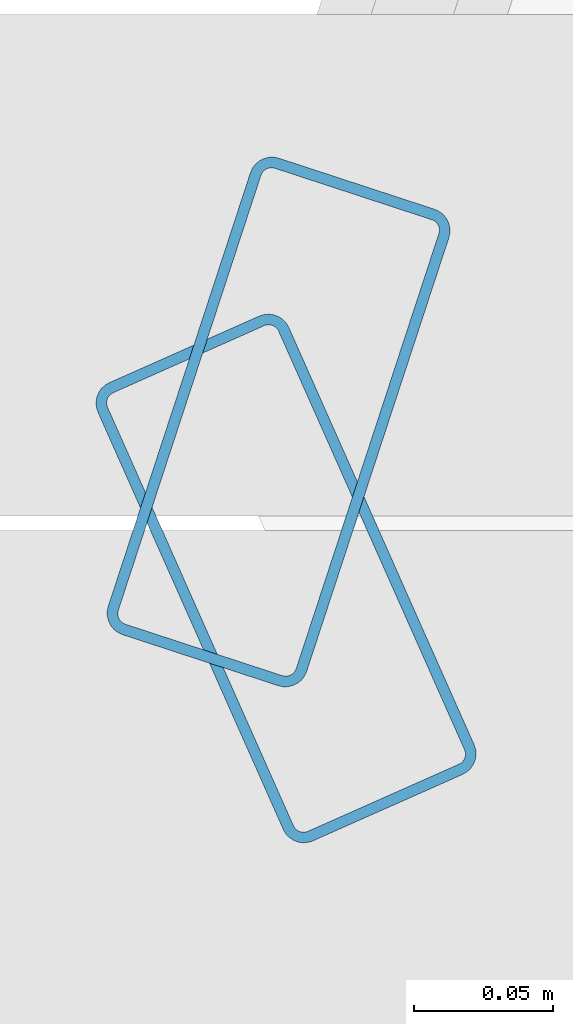
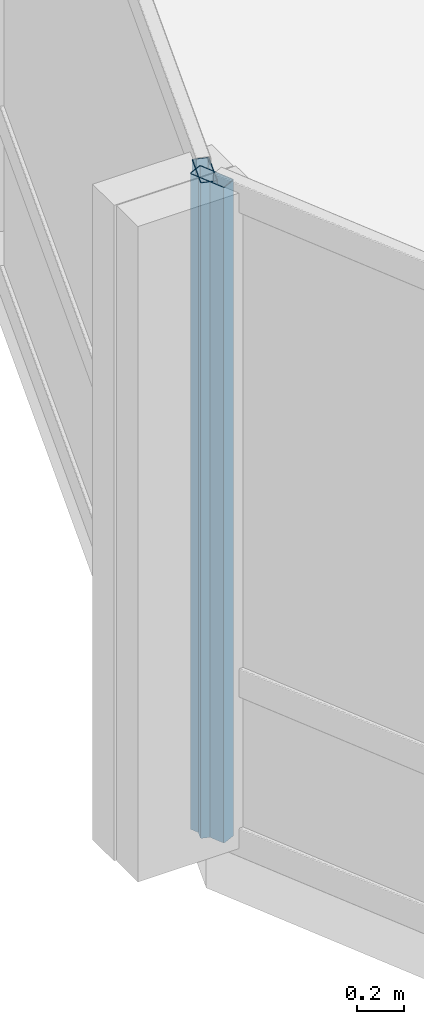
# One storey, part 6 of 35: 2 members, 2 elements without a shape of their own.
"""IFC4 building model written with IfcOpenShell, lengths in metres."""

from ifc_helpers import new_model, si_unit, direction, frame, origin, origin_2d, place, context, subcontext, project, spatial, hollow_rectangle, extrude, material, layer, layer_set, material_profile, profile_set, type_object, element, aggregate, save


model = new_model("IFC4")

# Units and contexts
model_context = context("Model", 3, precision=1e-05, world=origin(), true_north=direction((0.0, 1.0)))
body_context = subcontext(model_context, "Body", "Model", "MODEL_VIEW")
ifc_project = project(units=[si_unit("LENGTHUNIT", "METRE"), si_unit("AREAUNIT", "SQUARE_METRE"), si_unit("VOLUMEUNIT", "CUBIC_METRE"), si_unit("PLANEANGLEUNIT", "RADIAN"), si_unit("MASSUNIT", "GRAM", prefix="KILO")], contexts=[model_context])

# Site, building, storey
site_placement = place(None, origin())
site = spatial("IfcSite", under=ifc_project, at=site_placement, CompositionType="ELEMENT")
building_placement = place(site_placement, origin())
building = spatial("IfcBuilding", under=site, at=building_placement, Name="Solvaryn Broadcast Tower", CompositionType="ELEMENT")
storey_placement = place(building_placement, frame((0.0, 0.0, 80.39990234375)))
storey = spatial("IfcBuildingStorey", under=building, at=storey_placement, Name="L19", CompositionType="ELEMENT", Elevation=80.39990234375)

# Curtain wall, member
ifc_material_1 = material(Name="Aluminium and Terracotta Unitised Curtain Wall", Category="masonry")
ifc_layer_1 = layer(ifc_material_1, 0.199951171875)
ifc_layer_set_1 = layer_set([ifc_layer_1], Name="CW-SYS2-LOWMID")
curtain_wall_type_1 = type_object("IfcCurtainWallType", Name="CW-SYS2-LOWMID", PredefinedType="NOTDEFINED", material=ifc_layer_set_1)
curtain_wall_1_placement = place(storey_placement, origin())
curtain_wall_1 = element("IfcCurtainWall", 1, at=curtain_wall_1_placement, inside=storey, type_object=curtain_wall_type_1, Name="L19 Curtain Wall DR1", PredefinedType="NOTDEFINED")
ifc_material_2 = material(Name="Anodised Aluminium 6063-T6", Category="aluminium")
ifc_material_profile = material_profile(ifc_material_2, hollow_rectangle(XDim=0.074951171875, YDim=0.179931640625, WallThickness=0.00390625, InnerFilletRadius=0.00390625, OuterFilletRadius=0.008056640625, at=origin_2d()))
ifc_profile_set = profile_set([ifc_material_profile], Name="Anodised Aluminium 6063-T6")
member_type = type_object("IfcMemberType", Name="CW-MUL-180", PredefinedType="MULLION", material=ifc_profile_set)
member_1_placement = place(storey_placement, frame((-0.45458984375, 26.588623046875, 0.0), z_axis=(0.0, 0.0, 1.0), x_axis=(0.950215318429, -0.311594044587, 0.0)))
member_1 = element("IfcMember", 2, at=member_1_placement, type_object=member_type, Name="CWS2 mullion 2", PredefinedType="MULLION", context=body_context, shape_type="SweptSolid", body=[
    extrude(hollow_rectangle(XDim=0.074951171875, YDim=0.179931640625, WallThickness=0.00390625, InnerFilletRadius=0.00390625, OuterFilletRadius=0.008056640625, at=origin_2d()), origin(), (0.0, 0.0, 1.0), 3.3701171875),
])
aggregate(curtain_wall_1, [member_1])

ifc_material_3 = material(Name="Aluminium and Terracotta Unitised Curtain Wall", Category="masonry")
ifc_layer_2 = layer(ifc_material_3, 0.239990234375)
ifc_layer_set_2 = layer_set([ifc_layer_2], Name="CW-SYS3-BAYBOX")
curtain_wall_type_2 = type_object("IfcCurtainWallType", Name="CW-SYS3-BAYBOX", PredefinedType="NOTDEFINED", material=ifc_layer_set_2)
curtain_wall_2_placement = place(storey_placement, origin())
curtain_wall_2 = element("IfcCurtainWall", 3, at=curtain_wall_2_placement, inside=storey, type_object=curtain_wall_type_2, Name="L19 Curtain Wall DR2", PredefinedType="NOTDEFINED")
member_2_placement = place(storey_placement, frame((-0.451904296875, 26.532470703125, 0.0), z_axis=(0.0, 0.0, 1.0), x_axis=(0.913918257271, 0.405898286554, 0.0)))
member_2 = element("IfcMember", 4, at=member_2_placement, type_object=member_type, Name="CWS3 mullion 1", PredefinedType="MULLION", context=body_context, shape_type="SweptSolid", body=[
    extrude(hollow_rectangle(XDim=0.074951171875, YDim=0.179931640625, WallThickness=0.00390625, InnerFilletRadius=0.00390625, OuterFilletRadius=0.008056640625, at=origin_2d()), origin(), (0.0, 0.0, 1.0), 3.3701171875),
])
aggregate(curtain_wall_2, [member_2])

save(model, "model.ifc")
